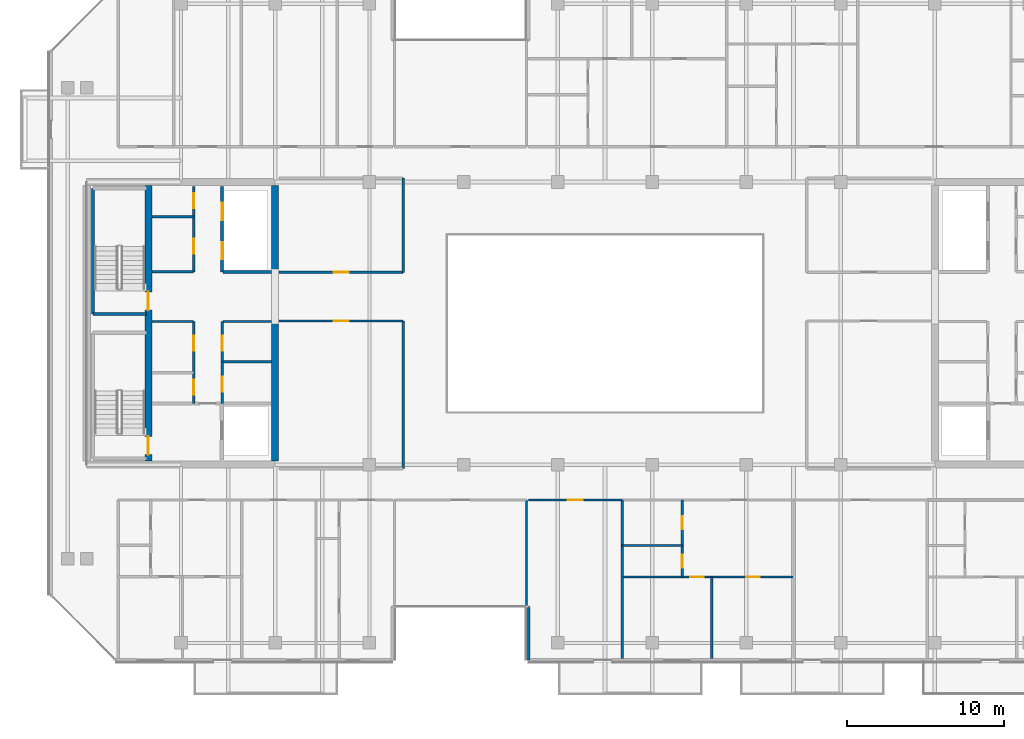
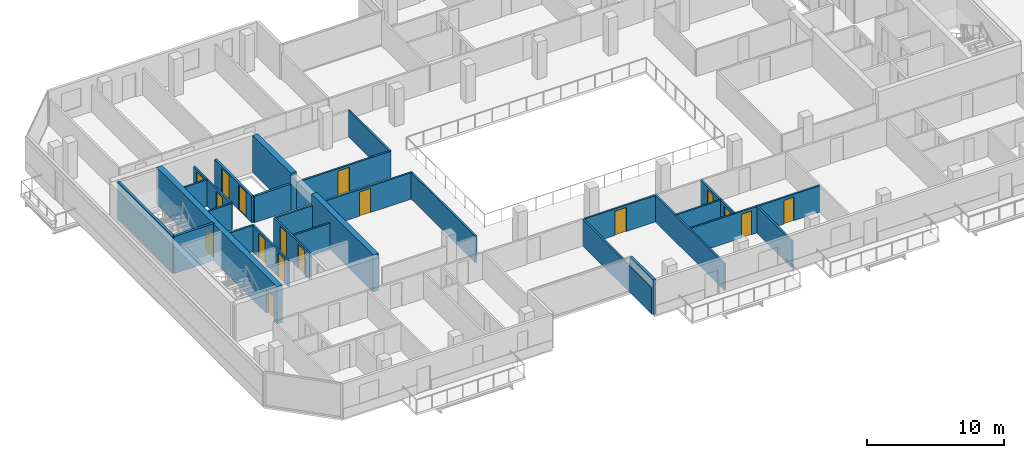
# One storey, part 19 of 28: 27 walls, 17 doors, 17 openings.
"""IFC4 building model written with IfcOpenShell, lengths in metres."""

from ifc_helpers import new_model, si_unit, direction, frame, frame_2d, origin, place, context, subcontext, project, spatial, rectangle, extrude, material, layer, layer_set, type_object, element, fill, save


model = new_model("IFC4")

# Units and contexts
model_context = context("Model", 3, precision=1e-05, world=origin(), true_north=direction((0.0, 1.0)))
body_context = subcontext(model_context, "Body", "Model", "MODEL_VIEW")
ifc_project = project(units=[si_unit("LENGTHUNIT", "METRE"), si_unit("AREAUNIT", "SQUARE_METRE"), si_unit("VOLUMEUNIT", "CUBIC_METRE"), si_unit("PLANEANGLEUNIT", "RADIAN"), si_unit("MASSUNIT", "GRAM", prefix="KILO")], contexts=[model_context])

# Site, building, storey
site_placement = place(None, origin())
site = spatial("IfcSite", under=ifc_project, at=site_placement, CompositionType="ELEMENT")
building_placement = place(site_placement, origin())
building = spatial("IfcBuilding", under=site, at=building_placement, Name="Tanjung Sevakor Pilgrim Tower", CompositionType="ELEMENT")
storey_placement = place(building_placement, frame((0.0, 0.0, 185.1298828125)))
storey = spatial("IfcBuildingStorey", under=building, at=storey_placement, Name="L51", CompositionType="ELEMENT", Elevation=185.1298828125)

# Walls
ifc_material_1 = material(Name="Concrete C60/75", Category="concrete")
ifc_layer_1 = layer(ifc_material_1, 0.449951171875)
ifc_layer_set_1 = layer_set([ifc_layer_1], Name="WALL-CW-450")
wall_type_1 = type_object("IfcWallType", Name="WALL-CW-450", PredefinedType="SHEAR", material=ifc_layer_set_1)
wall_1_placement = place(storey_placement, frame((36.0, 24.824951171875, 0.0), z_axis=(0.0, 0.0, 1.0), x_axis=(0.0, 1.0, 0.0)))
element("IfcWall", 1, at=wall_1_placement, inside=storey, type_object=wall_type_1, Name="L51 W Core Inner Shear Wall South", PredefinedType="SHEAR", context=body_context, shape_type="SweptSolid", body=[
    extrude(rectangle(XDim=8.97509765625, YDim=0.449951171875, at=frame_2d((4.487548828125, 0.0))), origin(), (0.0, 0.0, 1.0), 3.300048828125),
])
wall_2_placement = place(storey_placement, frame((36.0, 36.800048828125, 0.0), z_axis=(0.0, 0.0, 1.0), x_axis=(0.0, 1.0, 0.0)))
element("IfcWall", 2, at=wall_2_placement, inside=storey, type_object=wall_type_1, Name="L51 W Core Inner Shear Wall North", PredefinedType="SHEAR", context=body_context, shape_type="SweptSolid", body=[
    extrude(rectangle(XDim=5.574951171875, YDim=0.449951171875, at=frame_2d((2.78759765625, 0.0))), origin(), (0.0, 0.0, 1.0), 3.300048828125),
])

# Wall, openings, doors
wall_3_placement = place(storey_placement, frame((27.925048828125, 24.824951171875, 0.0), z_axis=(0.0, 0.0, 1.0), x_axis=(0.0, 1.0, 0.0)))
wall_3 = element("IfcWall", 3, at=wall_3_placement, inside=storey, type_object=wall_type_1, Name="L51 W Core Stair Spine Wall", PredefinedType="SHEAR", context=body_context, shape_type="SweptSolid", body=[
    extrude(rectangle(XDim=17.550048828125, YDim=0.449951171875, at=frame_2d((8.77490234375, 0.0))), origin(), (0.0, 0.0, 1.0), 3.300048828125),
])
opening_1_placement = place(wall_3_placement, frame((0.425048828125, 0.0, 0.0)))
opening_1 = element("IfcOpeningElement", 4, at=opening_1_placement, cuts=wall_3, Name="Opening ID-ST1", PredefinedType="OPENING", context=body_context, shape_type="SweptSolid", body=[
    extrude(rectangle(XDim=1.14990234375, YDim=2.14990234375, at=frame_2d((0.574951171875, 1.074951171875))), frame((0.0, 0.23486328125, 0.0), z_axis=(0.0, -1.0, 0.0), x_axis=(1.0, 0.0, 0.0)), (0.0, 0.0, 1.0), 0.469970703125),
])
opening_2_placement = place(wall_3_placement, frame((9.625, 0.0, 0.0)))
opening_2 = element("IfcOpeningElement", 5, at=opening_2_placement, cuts=wall_3, Name="Opening ID-ST1", PredefinedType="OPENING", context=body_context, shape_type="SweptSolid", body=[
    extrude(rectangle(XDim=1.14990234375, YDim=2.14990234375, at=frame_2d((0.574951171875, 1.074951171875))), frame((0.0, 0.23486328125, 0.0), z_axis=(0.0, -1.0, 0.0), x_axis=(1.0, 0.0, 0.0)), (0.0, 0.0, 1.0), 0.469970703125),
])
ifc_material_2 = material(Name="Fire-Rated Steel S355J2", Category="steel")
door_type_1 = type_object("IfcDoorType", Name="DT-FIRE-1150", OperationType="NOTDEFINED", PredefinedType="DOOR", material=ifc_material_2)
door_1_placement = place(opening_1_placement, origin())
door_1 = element("IfcDoor", 6, at=door_1_placement, inside=storey, type_object=door_type_1, Name="L51 TS-W1 Stair Fire Door", OperationType="SINGLE_SWING_LEFT", OverallHeight=2.14990234375, OverallWidth=1.14990234375, PredefinedType="DOOR", context=body_context, shape_type="SweptSolid", body=[
    extrude(rectangle(XDim=1.14990234375, YDim=2.14990234375, at=frame_2d((0.574951171875, 1.074951171875))), frame((0.0, 0.02490234375, 0.0), z_axis=(0.0, -1.0, 0.0), x_axis=(1.0, 0.0, 0.0)), (0.0, 0.0, 1.0), 0.050048828125),
])
fill(opening_1, door_1)
door_2_placement = place(opening_2_placement, origin())
door_2 = element("IfcDoor", 7, at=door_2_placement, inside=storey, type_object=door_type_1, Name="L51 TS-W2 Stair Fire Door", OperationType="SINGLE_SWING_RIGHT", OverallHeight=2.14990234375, OverallWidth=1.14990234375, PredefinedType="DOOR", context=body_context, shape_type="SweptSolid", body=[
    extrude(rectangle(XDim=1.14990234375, YDim=2.14990234375, at=frame_2d((0.574951171875, 1.074951171875))), frame((0.0, 0.02490234375, 0.0), z_axis=(0.0, -1.0, 0.0), x_axis=(1.0, 0.0, 0.0)), (0.0, 0.0, 1.0), 0.050048828125),
])
fill(opening_2, door_2)

# Wall
ifc_material_3 = material(Name="Concrete C40/50", Category="concrete")
ifc_layer_2 = layer(ifc_material_3, 0.14990234375)
ifc_layer_set_2 = layer_set([ifc_layer_2], Name="WT-COMP-150")
wall_type_2 = type_object("IfcWallType", Name="WT-COMP-150", PredefinedType="SOLIDWALL", material=ifc_layer_set_2)
wall_4_placement = place(storey_placement, frame((28.169921875, 33.719970703125, 0.0), z_axis=(0.0, 0.0, 1.0), x_axis=(1.0, 0.0, 0.0)))
element("IfcWall", 8, at=wall_4_placement, inside=storey, type_object=wall_type_2, Name="L51 Partition IW-L51-004", PredefinedType="SOLIDWALL", context=body_context, shape_type="SweptSolid", body=[
    extrude(rectangle(XDim=2.630126953125, YDim=0.14990234375, at=frame_2d((1.31494140625, 0.0))), origin(), (0.0, 0.0, 1.0), 2.35009765625),
])

# Wall, openings, doors
wall_5_placement = place(storey_placement, frame((30.820068359375, 28.5, 0.0), z_axis=(0.0, 0.0, 1.0), x_axis=(0.0, 1.0, 0.0)))
wall_5 = element("IfcWall", 9, at=wall_5_placement, inside=storey, type_object=wall_type_2, Name="L51 Partition IW-L51-005", PredefinedType="SOLIDWALL", context=body_context, shape_type="SweptSolid", body=[
    extrude(rectangle(XDim=5.219970703125, YDim=0.14990234375, at=frame_2d((2.60986328125, 0.0))), origin(), (0.0, 0.0, 1.0), 2.35009765625),
])
opening_3_placement = place(wall_5_placement, frame((0.550048828125, 0.0, 0.0)))
opening_3 = element("IfcOpeningElement", 10, at=opening_3_placement, cuts=wall_5, Name="Opening ID-FD2", PredefinedType="OPENING", context=body_context, shape_type="SweptSolid", body=[
    extrude(rectangle(XDim=0.949951171875, YDim=2.14990234375, at=frame_2d((0.47509765625, 1.074951171875))), frame((0.0, 0.0849609375, 0.0), z_axis=(0.0, -1.0, 0.0), x_axis=(1.0, 0.0, 0.0)), (0.0, 0.0, 1.0), 0.169921875),
])
opening_4_placement = place(wall_5_placement, frame((3.35009765625, 0.0, 0.0)))
opening_4 = element("IfcOpeningElement", 11, at=opening_4_placement, cuts=wall_5, Name="Opening ID-FD2", PredefinedType="OPENING", context=body_context, shape_type="SweptSolid", body=[
    extrude(rectangle(XDim=0.949951171875, YDim=2.14990234375, at=frame_2d((0.47509765625, 1.074951171875))), frame((0.0, 0.0849609375, 0.0), z_axis=(0.0, -1.0, 0.0), x_axis=(1.0, 0.0, 0.0)), (0.0, 0.0, 1.0), 0.169921875),
])
ifc_material_4 = material(Name="Fire-Rated Timber", Category="wood")
door_type_2 = type_object("IfcDoorType", Name="DT-FIRE-950", OperationType="NOTDEFINED", PredefinedType="DOOR", material=ifc_material_4)
door_3_placement = place(opening_3_placement, origin())
door_3 = element("IfcDoor", 12, at=door_3_placement, inside=storey, type_object=door_type_2, Name="L51 Cleaner Store Door", OperationType="SINGLE_SWING_RIGHT", OverallHeight=2.14990234375, OverallWidth=0.949951171875, PredefinedType="DOOR", context=body_context, shape_type="SweptSolid", body=[
    extrude(rectangle(XDim=0.949951171875, YDim=2.14990234375, at=frame_2d((0.47509765625, 1.074951171875))), frame((0.0, 0.02490234375, 0.0), z_axis=(0.0, -1.0, 0.0), x_axis=(1.0, 0.0, 0.0)), (0.0, 0.0, 1.0), 0.050048828125),
])
fill(opening_3, door_3)
door_4_placement = place(opening_4_placement, origin())
door_4 = element("IfcDoor", 13, at=door_4_placement, inside=storey, type_object=door_type_2, Name="L51 Housekeeping Pantry Door", OperationType="SINGLE_SWING_LEFT", OverallHeight=2.14990234375, OverallWidth=0.949951171875, PredefinedType="DOOR", context=body_context, shape_type="SweptSolid", body=[
    extrude(rectangle(XDim=0.949951171875, YDim=2.14990234375, at=frame_2d((0.47509765625, 1.074951171875))), frame((0.0, 0.02490234375, 0.0), z_axis=(0.0, -1.0, 0.0), x_axis=(1.0, 0.0, 0.0)), (0.0, 0.0, 1.0), 0.050048828125),
])
fill(opening_4, door_4)

# Walls
for number, where, z_axis, x_axis, name in (
    (14, (32.679931640625, 31.14990234375, 0.0), (0.0, 0.0, 1.0), (1.0, 0.0, 0.0), "L51 Partition IW-L51-006"),
    (15, (32.679931640625, 33.719970703125, 0.0), (0.0, 0.0, 1.0), (1.0, 0.0, 0.0), "L51 Partition IW-L51-007"),
):
    element("IfcWall", number, at=place(storey_placement, frame(where, z_axis=z_axis, x_axis=x_axis)), inside=storey, type_object=wall_type_2, Name=name, PredefinedType="SOLIDWALL", context=body_context, shape_type="SweptSolid", body=[
        extrude(rectangle(XDim=3.074951171875, YDim=0.14990234375, at=frame_2d((1.53759765625, 0.0))), origin(), (0.0, 0.0, 1.0), 2.35009765625),
    ])

# Wall, openings, doors
wall_6_placement = place(storey_placement, frame((32.6201171875, 28.5, 0.0), z_axis=(0.0, 0.0, 1.0), x_axis=(0.0, 1.0, 0.0)))
wall_6 = element("IfcWall", 16, at=wall_6_placement, inside=storey, type_object=wall_type_2, Name="L51 Partition IW-L51-008", PredefinedType="SOLIDWALL", context=body_context, shape_type="SweptSolid", body=[
    extrude(rectangle(XDim=5.219970703125, YDim=0.14990234375, at=frame_2d((2.60986328125, 0.0))), origin(), (0.0, 0.0, 1.0), 2.35009765625),
])
opening_5_placement = place(wall_6_placement, frame((0.75, 0.0, 0.0)))
opening_5 = element("IfcOpeningElement", 17, at=opening_5_placement, cuts=wall_6, Name="Opening ID-FD2", PredefinedType="OPENING", context=body_context, shape_type="SweptSolid", body=[
    extrude(rectangle(XDim=0.949951171875, YDim=2.14990234375, at=frame_2d((0.47509765625, 1.074951171875))), frame((0.0, 0.0849609375, 0.0), z_axis=(0.0, -1.0, 0.0), x_axis=(1.0, 0.0, 0.0)), (0.0, 0.0, 1.0), 0.169921875),
])
opening_6_placement = place(wall_6_placement, frame((3.35009765625, 0.0, 0.0)))
opening_6 = element("IfcOpeningElement", 18, at=opening_6_placement, cuts=wall_6, Name="Opening ID-FD2", PredefinedType="OPENING", context=body_context, shape_type="SweptSolid", body=[
    extrude(rectangle(XDim=0.949951171875, YDim=2.14990234375, at=frame_2d((0.47509765625, 1.074951171875))), frame((0.0, 0.0849609375, 0.0), z_axis=(0.0, -1.0, 0.0), x_axis=(1.0, 0.0, 0.0)), (0.0, 0.0, 1.0), 0.169921875),
])
door_5_placement = place(opening_5_placement, origin())
door_5 = element("IfcDoor", 19, at=door_5_placement, inside=storey, type_object=door_type_2, Name="L51 Accessible WC Door", OperationType="SINGLE_SWING_RIGHT", OverallHeight=2.14990234375, OverallWidth=0.949951171875, PredefinedType="DOOR", context=body_context, shape_type="SweptSolid", body=[
    extrude(rectangle(XDim=0.949951171875, YDim=2.14990234375, at=frame_2d((0.47509765625, 1.074951171875))), frame((0.0, 0.02490234375, 0.0), z_axis=(0.0, -1.0, 0.0), x_axis=(1.0, 0.0, 0.0)), (0.0, 0.0, 1.0), 0.050048828125),
])
fill(opening_5, door_5)
door_6_placement = place(opening_6_placement, origin())
door_6 = element("IfcDoor", 20, at=door_6_placement, inside=storey, type_object=door_type_2, Name="L51 Core Service Door", OperationType="SINGLE_SWING_LEFT", OverallHeight=2.14990234375, OverallWidth=0.949951171875, PredefinedType="DOOR", context=body_context, shape_type="SweptSolid", body=[
    extrude(rectangle(XDim=0.949951171875, YDim=2.14990234375, at=frame_2d((0.47509765625, 1.074951171875))), frame((0.0, 0.02490234375, 0.0), z_axis=(0.0, -1.0, 0.0), x_axis=(1.0, 0.0, 0.0)), (0.0, 0.0, 1.0), 0.050048828125),
])
fill(opening_6, door_6)

# Walls
for number, where, z_axis, x_axis, name in (
    (21, (28.169921875, 36.8798828125, 0.0), (0.0, 0.0, 1.0), (1.0, 0.0, 0.0), "L51 Partition IW-L51-009"),
    (22, (28.169921875, 40.389892578125, 0.0), (0.0, 0.0, 1.0), (1.0, 0.0, 0.0), "L51 Partition IW-L51-010"),
):
    element("IfcWall", number, at=place(storey_placement, frame(where, z_axis=z_axis, x_axis=x_axis)), inside=storey, type_object=wall_type_2, Name=name, PredefinedType="SOLIDWALL", context=body_context, shape_type="SweptSolid", body=[
        extrude(rectangle(XDim=2.630126953125, YDim=0.14990234375, at=frame_2d((1.31494140625, 0.0))), origin(), (0.0, 0.0, 1.0), 2.35009765625),
    ])

# Wall, openings, doors
wall_7_placement = place(storey_placement, frame((30.820068359375, 36.8798828125, 0.0), z_axis=(0.0, 0.0, 1.0), x_axis=(0.0, 1.0, 0.0)))
wall_7 = element("IfcWall", 23, at=wall_7_placement, inside=storey, type_object=wall_type_2, Name="L51 Partition IW-L51-011", PredefinedType="SOLIDWALL", context=body_context, shape_type="SweptSolid", body=[
    extrude(rectangle(XDim=5.420166015625, YDim=0.14990234375, at=frame_2d((2.7099609375, 0.0))), origin(), (0.0, 0.0, 1.0), 2.35009765625),
])
opening_7_placement = place(wall_7_placement, frame((1.14990234375, 0.0, 0.0)))
opening_7 = element("IfcOpeningElement", 24, at=opening_7_placement, cuts=wall_7, Name="Opening ID-FD2", PredefinedType="OPENING", context=body_context, shape_type="SweptSolid", body=[
    extrude(rectangle(XDim=0.949951171875, YDim=2.14990234375, at=frame_2d((0.47509765625, 1.074951171875))), frame((0.0, 0.0849609375, 0.0), z_axis=(0.0, -1.0, 0.0), x_axis=(1.0, 0.0, 0.0)), (0.0, 0.0, 1.0), 0.169921875),
])
opening_8_placement = place(wall_7_placement, frame((4.050048828125, 0.0, 0.0)))
opening_8 = element("IfcOpeningElement", 25, at=opening_8_placement, cuts=wall_7, Name="Opening ID-FD2", PredefinedType="OPENING", context=body_context, shape_type="SweptSolid", body=[
    extrude(rectangle(XDim=0.949951171875, YDim=2.14990234375, at=frame_2d((0.47509765625, 1.074951171875))), frame((0.0, 0.0849609375, 0.0), z_axis=(0.0, -1.0, 0.0), x_axis=(1.0, 0.0, 0.0)), (0.0, 0.0, 1.0), 0.169921875),
])
door_7_placement = place(opening_7_placement, origin())
door_7 = element("IfcDoor", 26, at=door_7_placement, inside=storey, type_object=door_type_2, Name="L51 Core Study Room Door", OperationType="SINGLE_SWING_RIGHT", OverallHeight=2.14990234375, OverallWidth=0.949951171875, PredefinedType="DOOR", context=body_context, shape_type="SweptSolid", body=[
    extrude(rectangle(XDim=0.949951171875, YDim=2.14990234375, at=frame_2d((0.47509765625, 1.074951171875))), frame((0.0, 0.02490234375, 0.0), z_axis=(0.0, -1.0, 0.0), x_axis=(1.0, 0.0, 0.0)), (0.0, 0.0, 1.0), 0.050048828125),
])
fill(opening_7, door_7)
door_8_placement = place(opening_8_placement, origin())
door_8 = element("IfcDoor", 27, at=door_8_placement, inside=storey, type_object=door_type_2, Name="L51 Service Store Door", OperationType="SINGLE_SWING_LEFT", OverallHeight=2.14990234375, OverallWidth=0.949951171875, PredefinedType="DOOR", context=body_context, shape_type="SweptSolid", body=[
    extrude(rectangle(XDim=0.949951171875, YDim=2.14990234375, at=frame_2d((0.47509765625, 1.074951171875))), frame((0.0, 0.02490234375, 0.0), z_axis=(0.0, -1.0, 0.0), x_axis=(1.0, 0.0, 0.0)), (0.0, 0.0, 1.0), 0.050048828125),
])
fill(opening_8, door_8)

# Wall, opening, door
wall_8_placement = place(storey_placement, frame((36.2451171875, 33.75, 0.0), z_axis=(0.0, 0.0, 1.0), x_axis=(1.0, 0.0, 0.0)))
wall_8 = element("IfcWall", 28, at=wall_8_placement, inside=storey, type_object=wall_type_2, Name="L51 Partition IW-L51-028", PredefinedType="SOLIDWALL", context=body_context, shape_type="SweptSolid", body=[
    extrude(rectangle(XDim=7.90478515625, YDim=0.14990234375, at=frame_2d((3.952392578125, 0.0))), origin(), (0.0, 0.0, 1.0), 2.35009765625),
])
opening_9_placement = place(wall_8_placement, frame((3.4775390625, 0.0, 0.0)))
opening_9 = element("IfcOpeningElement", 29, at=opening_9_placement, cuts=wall_8, Name="Opening ID-RM1", PredefinedType="OPENING", context=body_context, shape_type="SweptSolid", body=[
    extrude(rectangle(XDim=0.949951171875, YDim=2.14990234375, at=frame_2d((0.47509765625, 1.074951171875))), frame((0.0, 0.0849609375, 0.0), z_axis=(0.0, -1.0, 0.0), x_axis=(1.0, 0.0, 0.0)), (0.0, 0.0, 1.0), 0.169921875),
])
ifc_material_5 = material(Name="Hardwood Timber", Category="wood")
door_type_3 = type_object("IfcDoorType", Name="DT-INT-950", OperationType="NOTDEFINED", PredefinedType="DOOR", material=ifc_material_5)
door_9_placement = place(opening_9_placement, origin())
door_9 = element("IfcDoor", 30, at=door_9_placement, inside=storey, type_object=door_type_3, Name="L51 West Inboard South Door", OperationType="SINGLE_SWING_RIGHT", OverallHeight=2.14990234375, OverallWidth=0.949951171875, PredefinedType="DOOR", context=body_context, shape_type="SweptSolid", body=[
    extrude(rectangle(XDim=0.949951171875, YDim=2.14990234375, at=frame_2d((0.47509765625, 1.074951171875))), frame((0.0, 0.02490234375, 0.0), z_axis=(0.0, -1.0, 0.0), x_axis=(1.0, 0.0, 0.0)), (0.0, 0.0, 1.0), 0.050048828125),
])
fill(opening_9, door_9)

# Wall
wall_9_placement = place(storey_placement, frame((44.14990234375, 24.35009765625, 0.0), z_axis=(0.0, 0.0, 1.0), x_axis=(0.0, 1.0, 0.0)))
element("IfcWall", 31, at=wall_9_placement, inside=storey, type_object=wall_type_2, Name="L51 Partition IW-L51-029", PredefinedType="SOLIDWALL", context=body_context, shape_type="SweptSolid", body=[
    extrude(rectangle(XDim=9.39990234375, YDim=0.14990234375, at=frame_2d((4.699951171875, 0.0))), origin(), (0.0, 0.0, 1.0), 2.35009765625),
])

# Wall, opening, door
wall_10_placement = place(storey_placement, frame((36.2451171875, 36.85009765625, 0.0), z_axis=(0.0, 0.0, 1.0), x_axis=(1.0, 0.0, 0.0)))
wall_10 = element("IfcWall", 32, at=wall_10_placement, inside=storey, type_object=wall_type_2, Name="L51 Partition IW-L51-030", PredefinedType="SOLIDWALL", context=body_context, shape_type="SweptSolid", body=[
    extrude(rectangle(XDim=7.90478515625, YDim=0.14990234375, at=frame_2d((3.952392578125, 0.0))), origin(), (0.0, 0.0, 1.0), 2.35009765625),
])
opening_10_placement = place(wall_10_placement, frame((3.4775390625, 0.0, 0.0)))
opening_10 = element("IfcOpeningElement", 33, at=opening_10_placement, cuts=wall_10, Name="Opening ID-RM1", PredefinedType="OPENING", context=body_context, shape_type="SweptSolid", body=[
    extrude(rectangle(XDim=0.949951171875, YDim=2.14990234375, at=frame_2d((0.47509765625, 1.074951171875))), frame((0.0, 0.0849609375, 0.0), z_axis=(0.0, -1.0, 0.0), x_axis=(1.0, 0.0, 0.0)), (0.0, 0.0, 1.0), 0.169921875),
])
door_10_placement = place(opening_10_placement, origin())
door_10 = element("IfcDoor", 34, at=door_10_placement, inside=storey, type_object=door_type_3, Name="L51 West Inboard North Door", OperationType="SINGLE_SWING_LEFT", OverallHeight=2.14990234375, OverallWidth=0.949951171875, PredefinedType="DOOR", context=body_context, shape_type="SweptSolid", body=[
    extrude(rectangle(XDim=0.949951171875, YDim=2.14990234375, at=frame_2d((0.47509765625, 1.074951171875))), frame((0.0, 0.02490234375, 0.0), z_axis=(0.0, -1.0, 0.0), x_axis=(1.0, 0.0, 0.0)), (0.0, 0.0, 1.0), 0.050048828125),
])
fill(opening_10, door_10)

# Walls
wall_11_placement = place(storey_placement, frame((44.14990234375, 36.85009765625, 0.0), z_axis=(0.0, 0.0, 1.0), x_axis=(0.0, 1.0, 0.0)))
element("IfcWall", 35, at=wall_11_placement, inside=storey, type_object=wall_type_2, Name="L51 Partition IW-L51-032", PredefinedType="SOLIDWALL", context=body_context, shape_type="SweptSolid", body=[
    extrude(rectangle(XDim=6.0, YDim=0.14990234375, at=frame_2d((3.0, 0.0))), origin(), (0.0, 0.0, 1.0), 2.35009765625),
])
for number, where, z_axis, x_axis, name in (
    (36, (52.0, 12.27001953125, 0.0), (0.0, 0.0, 1.0), (0.0, 1.0, 0.0), "L51 Partition IW-L51-041"),
    (37, (58.096435546875, 12.27001953125, 0.0), (0.0, 0.0, 1.0), (0.0, 1.0, 0.0), "L51 Partition IW-L51-058"),
):
    element("IfcWall", number, at=place(storey_placement, frame(where, z_axis=z_axis, x_axis=x_axis)), inside=storey, type_object=wall_type_2, Name=name, PredefinedType="SOLIDWALL", context=body_context, shape_type="SweptSolid", body=[
        extrude(rectangle(XDim=10.080078125, YDim=0.14990234375, at=frame_2d((5.0400390625, 0.0))), origin(), (0.0, 0.0, 1.0), 2.35009765625),
    ])

# Wall, opening, door
wall_12_placement = place(storey_placement, frame((52.1201171875, 22.35009765625, 0.0), z_axis=(0.0, 0.0, 1.0), x_axis=(1.0, 0.0, 0.0)))
wall_12 = element("IfcWall", 38, at=wall_12_placement, inside=storey, type_object=wall_type_2, Name="L51 Partition IW-L51-059", PredefinedType="SOLIDWALL", context=body_context, shape_type="SweptSolid", body=[
    extrude(rectangle(XDim=5.976318359375, YDim=0.14990234375, at=frame_2d((2.98828125, 0.0))), origin(), (0.0, 0.0, 1.0), 2.35009765625),
])
opening_11_placement = place(wall_12_placement, frame((2.51318359375, 0.0, 0.0)))
opening_11 = element("IfcOpeningElement", 39, at=opening_11_placement, cuts=wall_12, Name="Opening ID-FD2", PredefinedType="OPENING", context=body_context, shape_type="SweptSolid", body=[
    extrude(rectangle(XDim=0.949951171875, YDim=2.14990234375, at=frame_2d((0.47509765625, 1.074951171875))), frame((0.0, 0.0849609375, 0.0), z_axis=(0.0, -1.0, 0.0), x_axis=(1.0, 0.0, 0.0)), (0.0, 0.0, 1.0), 0.169921875),
])
door_11_placement = place(opening_11_placement, origin())
door_11 = element("IfcDoor", 40, at=door_11_placement, inside=storey, type_object=door_type_2, Name="Housekeeping Pantry Door", OperationType="SINGLE_SWING_LEFT", OverallHeight=2.14990234375, OverallWidth=0.949951171875, PredefinedType="DOOR", context=body_context, shape_type="SweptSolid", body=[
    extrude(rectangle(XDim=0.949951171875, YDim=2.14990234375, at=frame_2d((0.47509765625, 1.074951171875))), frame((0.0, 0.02490234375, 0.0), z_axis=(0.0, -1.0, 0.0), x_axis=(1.0, 0.0, 0.0)), (0.0, 0.0, 1.0), 0.050048828125),
])
fill(opening_11, door_11)

# Walls
ifc_material_6 = material(Name="Precast concrete C45/55", Category="concrete")
ifc_layer_3 = layer(ifc_material_6, 0.219970703125)
ifc_layer_set_3 = layer_set([ifc_layer_3], Name="WT-EW-STN4")
wall_type_3 = type_object("IfcWallType", Name="WT-EW-STN4", PredefinedType="SOLIDWALL", material=ifc_layer_set_3)
wall_13_placement = place(storey_placement, frame((52.110107421875, 15.56005859375, 0.0), z_axis=(0.0, 0.0, 1.0), x_axis=(0.0, -1.0, 0.0)))
element("IfcWall", 41, at=wall_13_placement, inside=storey, type_object=wall_type_3, Name="L51 MAIN Exterior Wall 4", PredefinedType="SOLIDWALL", context=body_context, shape_type="SweptSolid", body=[
    extrude(rectangle(XDim=3.400146484375, YDim=0.219970703125, at=frame_2d((1.7001953125, 0.0))), origin(), (0.0, 0.0, 1.0), 3.080078125),
])
ifc_material_7 = material(Name="Concrete C40/50", Category="concrete")
ifc_layer_4 = layer(ifc_material_7, 0.199951171875)
ifc_layer_set_4 = layer_set([ifc_layer_4], Name="WT-FIRE-200")
wall_type_4 = type_object("IfcWallType", Name="WT-FIRE-200", PredefinedType="SOLIDWALL", material=ifc_layer_set_4)
wall_14_placement = place(storey_placement, frame((24.39990234375, 34.199951171875, 0.0), z_axis=(0.0, 0.0, 1.0), x_axis=(1.0, 0.0, 0.0)))
element("IfcWall", 42, at=wall_14_placement, inside=storey, type_object=wall_type_4, Name="L51 TS-W2 Shaft Wall 1", PredefinedType="SOLIDWALL", context=body_context, shape_type="SweptSolid", body=[
    extrude(rectangle(XDim=3.400146484375, YDim=0.199951171875, at=frame_2d((1.7001953125, 0.0))), origin(), (0.0, 0.0, 1.0), 3.300048828125),
])
wall_15_placement = place(storey_placement, frame((24.39990234375, 42.199951171875, 0.0), z_axis=(0.0, 0.0, 1.0), x_axis=(0.0, -1.0, 0.0)))
element("IfcWall", 43, at=wall_15_placement, inside=storey, type_object=wall_type_4, Name="L51 TS-W2 Shaft Wall 3", PredefinedType="SOLIDWALL", context=body_context, shape_type="SweptSolid", body=[
    extrude(rectangle(XDim=8.0, YDim=0.199951171875, at=frame_2d((4.0, 0.0))), origin(), (0.0, 0.0, 1.0), 3.300048828125),
])
ifc_material_8 = material(Name="Concrete C40/50", Category="concrete")
ifc_layer_5 = layer(ifc_material_8, 0.199951171875)
ifc_layer_set_5 = layer_set([ifc_layer_5], Name="WT-FPRT-200")
wall_type_5 = type_object("IfcWallType", Name="WT-FPRT-200", PredefinedType="SOLIDWALL", material=ifc_layer_set_5)
wall_16_placement = place(storey_placement, frame((32.679931640625, 36.8798828125, 0.0), z_axis=(0.0, 0.0, 1.0), x_axis=(1.0, 0.0, 0.0)))
element("IfcWall", 44, at=wall_16_placement, inside=storey, type_object=wall_type_5, Name="L51 Partition IW-L51-012", PredefinedType="SOLIDWALL", context=body_context, shape_type="SweptSolid", body=[
    extrude(rectangle(XDim=3.074951171875, YDim=0.199951171875, at=frame_2d((1.53759765625, 0.0))), origin(), (0.0, 0.0, 1.0), 2.35009765625),
])

# Wall, openings, doors
wall_17_placement = place(storey_placement, frame((32.6201171875, 36.8798828125, 0.0), z_axis=(0.0, 0.0, 1.0), x_axis=(0.0, 1.0, 0.0)))
wall_17 = element("IfcWall", 45, at=wall_17_placement, inside=storey, type_object=wall_type_5, Name="L51 Partition IW-L51-013", PredefinedType="SOLIDWALL", context=body_context, shape_type="SweptSolid", body=[
    extrude(rectangle(XDim=5.420166015625, YDim=0.199951171875, at=frame_2d((2.7099609375, 0.0))), origin(), (0.0, 0.0, 1.0), 2.35009765625),
])
opening_12_placement = place(wall_17_placement, frame((0.800048828125, 0.0, 0.0)))
opening_12 = element("IfcOpeningElement", 46, at=opening_12_placement, cuts=wall_17, Name="Opening LD-1100", PredefinedType="OPENING", context=body_context, shape_type="SweptSolid", body=[
    extrude(rectangle(XDim=1.10009765625, YDim=2.199951171875, at=frame_2d((0.550048828125, 1.10009765625))), frame((0.0, 0.10986328125, 0.0), z_axis=(0.0, -1.0, 0.0), x_axis=(1.0, 0.0, 0.0)), (0.0, 0.0, 1.0), 0.219970703125),
])
opening_13_placement = place(wall_17_placement, frame((3.300048828125, 0.0, 0.0)))
opening_13 = element("IfcOpeningElement", 47, at=opening_13_placement, cuts=wall_17, Name="Opening LD-1100", PredefinedType="OPENING", context=body_context, shape_type="SweptSolid", body=[
    extrude(rectangle(XDim=1.10009765625, YDim=2.199951171875, at=frame_2d((0.550048828125, 1.10009765625))), frame((0.0, 0.10986328125, 0.0), z_axis=(0.0, -1.0, 0.0), x_axis=(1.0, 0.0, 0.0)), (0.0, 0.0, 1.0), 0.219970703125),
])
ifc_material_9 = material(Name="Brushed Stainless Steel S355J2", Category="steel")
door_type_4 = type_object("IfcDoorType", Name="DT-LIFT-1100", OperationType="SLIDING_TO_LEFT", PredefinedType="DOOR", material=ifc_material_9)
door_12_placement = place(opening_12_placement, origin())
door_12 = element("IfcDoor", 48, at=door_12_placement, inside=storey, type_object=door_type_4, Name="LD-PLH1-W", OperationType="SLIDING_TO_LEFT", OverallHeight=2.199951171875, OverallWidth=1.10009765625, PredefinedType="DOOR", context=body_context, shape_type="SweptSolid", body=[
    extrude(rectangle(XDim=1.10009765625, YDim=2.199951171875, at=frame_2d((0.550048828125, 1.10009765625))), frame((0.0, 0.02490234375, 0.0), z_axis=(0.0, -1.0, 0.0), x_axis=(1.0, 0.0, 0.0)), (0.0, 0.0, 1.0), 0.050048828125),
])
fill(opening_12, door_12)
door_13_placement = place(opening_13_placement, origin())
door_13 = element("IfcDoor", 49, at=door_13_placement, inside=storey, type_object=door_type_4, Name="LD-PLH2-W", OperationType="SLIDING_TO_RIGHT", OverallHeight=2.199951171875, OverallWidth=1.10009765625, PredefinedType="DOOR", context=body_context, shape_type="SweptSolid", body=[
    extrude(rectangle(XDim=1.10009765625, YDim=2.199951171875, at=frame_2d((0.550048828125, 1.10009765625))), frame((0.0, 0.02490234375, 0.0), z_axis=(0.0, -1.0, 0.0), x_axis=(1.0, 0.0, 0.0)), (0.0, 0.0, 1.0), 0.050048828125),
])
fill(opening_13, door_13)

# Wall
ifc_material_10 = material(Name="Gypsum Board Partition", Category="gypsum board")
ifc_layer_6 = layer(ifc_material_10, 0.14990234375)
ifc_layer_set_6 = layer_set([ifc_layer_6], Name="WT-PART-150")
wall_type_6 = type_object("IfcWallType", Name="WT-PART-150", PredefinedType="PARTITIONING", material=ifc_layer_set_6)
wall_18_placement = place(storey_placement, frame((58.096435546875, 19.45751953125, 0.0), z_axis=(0.0, 0.0, 1.0), x_axis=(1.0, 0.0, 0.0)))
element("IfcWall", 50, at=wall_18_placement, inside=storey, type_object=wall_type_6, Name="L51 Partition IW-L51-061", PredefinedType="PARTITIONING", context=body_context, shape_type="SweptSolid", body=[
    extrude(rectangle(XDim=3.823486328125, YDim=0.14990234375, at=frame_2d((1.91162109375, 0.0))), origin(), (0.0, 0.0, 1.0), 2.35009765625),
])

# Wall, openings, doors
wall_19_placement = place(storey_placement, frame((61.919921875, 17.44775390625, 0.0), z_axis=(0.0, 0.0, 1.0), x_axis=(0.0, 1.0, 0.0)))
wall_19 = element("IfcWall", 51, at=wall_19_placement, inside=storey, type_object=wall_type_6, Name="L51 Partition IW-L51-062", PredefinedType="PARTITIONING", context=body_context, shape_type="SweptSolid", body=[
    extrude(rectangle(XDim=4.90234375, YDim=0.14990234375, at=frame_2d((2.451171875, 0.0))), origin(), (0.0, 0.0, 1.0), 2.35009765625),
])
opening_14_placement = place(wall_19_placement, frame((0.579833984375, 0.0, 0.0)))
opening_14 = element("IfcOpeningElement", 52, at=opening_14_placement, cuts=wall_19, Name="Opening ID-WC1", PredefinedType="OPENING", context=body_context, shape_type="SweptSolid", body=[
    extrude(rectangle(XDim=0.85009765625, YDim=2.10009765625, at=frame_2d((0.425048828125, 1.050048828125))), frame((0.0, 0.0849609375, 0.0), z_axis=(0.0, -1.0, 0.0), x_axis=(1.0, 0.0, 0.0)), (0.0, 0.0, 1.0), 0.169921875),
])
opening_15_placement = place(wall_19_placement, frame((3.031005859375, 0.0, 0.0)))
opening_15 = element("IfcOpeningElement", 53, at=opening_15_placement, cuts=wall_19, Name="Opening ID-WC1", PredefinedType="OPENING", context=body_context, shape_type="SweptSolid", body=[
    extrude(rectangle(XDim=0.85009765625, YDim=2.10009765625, at=frame_2d((0.425048828125, 1.050048828125))), frame((0.0, 0.0849609375, 0.0), z_axis=(0.0, -1.0, 0.0), x_axis=(1.0, 0.0, 0.0)), (0.0, 0.0, 1.0), 0.169921875),
])
ifc_material_11 = material(Name="Moisture-Resistant Timber", Category="wood")
door_type_5 = type_object("IfcDoorType", Name="DT-INT-850", OperationType="NOTDEFINED", PredefinedType="DOOR", material=ifc_material_11)
door_14_placement = place(opening_14_placement, origin())
door_14 = element("IfcDoor", 54, at=door_14_placement, inside=storey, type_object=door_type_5, Name="Suite Bathroom Door", OperationType="SINGLE_SWING_RIGHT", OverallHeight=2.10009765625, OverallWidth=0.85009765625, PredefinedType="DOOR", context=body_context, shape_type="SweptSolid", body=[
    extrude(rectangle(XDim=0.85009765625, YDim=2.10009765625, at=frame_2d((0.425048828125, 1.050048828125))), frame((0.0, 0.02490234375, 0.0), z_axis=(0.0, -1.0, 0.0), x_axis=(1.0, 0.0, 0.0)), (0.0, 0.0, 1.0), 0.050048828125),
])
fill(opening_14, door_14)
door_15_placement = place(opening_15_placement, origin())
door_15 = element("IfcDoor", 55, at=door_15_placement, inside=storey, type_object=door_type_5, Name="Suite Kitchenette Door", OperationType="SINGLE_SWING_LEFT", OverallHeight=2.10009765625, OverallWidth=0.85009765625, PredefinedType="DOOR", context=body_context, shape_type="SweptSolid", body=[
    extrude(rectangle(XDim=0.85009765625, YDim=2.10009765625, at=frame_2d((0.425048828125, 1.050048828125))), frame((0.0, 0.02490234375, 0.0), z_axis=(0.0, -1.0, 0.0), x_axis=(1.0, 0.0, 0.0)), (0.0, 0.0, 1.0), 0.050048828125),
])
fill(opening_15, door_15)

# Wall
wall_20_placement = place(storey_placement, frame((63.7939453125, 12.27001953125, 0.0), z_axis=(0.0, 0.0, 1.0), x_axis=(0.0, 1.0, 0.0)))
element("IfcWall", 56, at=wall_20_placement, inside=storey, type_object=wall_type_6, Name="L51 Partition IW-L51-063", PredefinedType="PARTITIONING", context=body_context, shape_type="SweptSolid", body=[
    extrude(rectangle(XDim=5.177734375, YDim=0.14990234375, at=frame_2d((2.5888671875, 0.0))), origin(), (0.0, 0.0, 1.0), 2.35009765625),
])

# Wall, openings, doors
wall_21_placement = place(storey_placement, frame((58.096435546875, 17.44775390625, 0.0), z_axis=(0.0, 0.0, 1.0), x_axis=(1.0, 0.0, 0.0)))
wall_21 = element("IfcWall", 57, at=wall_21_placement, inside=storey, type_object=wall_type_6, Name="L51 Partition IW-L51-064", PredefinedType="PARTITIONING", context=body_context, shape_type="SweptSolid", body=[
    extrude(rectangle(XDim=10.956787109375, YDim=0.14990234375, at=frame_2d((5.478515625, 0.0))), origin(), (0.0, 0.0, 1.0), 2.35009765625),
])
opening_16_placement = place(wall_21_placement, frame((4.33544921875, 0.0, 0.0)))
opening_16 = element("IfcOpeningElement", 58, at=opening_16_placement, cuts=wall_21, Name="Opening ID-WC1", PredefinedType="OPENING", context=body_context, shape_type="SweptSolid", body=[
    extrude(rectangle(XDim=0.85009765625, YDim=2.10009765625, at=frame_2d((0.425048828125, 1.050048828125))), frame((0.0, 0.0849609375, 0.0), z_axis=(0.0, -1.0, 0.0), x_axis=(1.0, 0.0, 0.0)), (0.0, 0.0, 1.0), 0.169921875),
])
opening_17_placement = place(wall_21_placement, frame((7.902099609375, 0.0, 0.0)))
opening_17 = element("IfcOpeningElement", 59, at=opening_17_placement, cuts=wall_21, Name="Opening ID-WC1", PredefinedType="OPENING", context=body_context, shape_type="SweptSolid", body=[
    extrude(rectangle(XDim=0.85009765625, YDim=2.10009765625, at=frame_2d((0.425048828125, 1.050048828125))), frame((0.0, 0.0849609375, 0.0), z_axis=(0.0, -1.0, 0.0), x_axis=(1.0, 0.0, 0.0)), (0.0, 0.0, 1.0), 0.169921875),
])
door_16_placement = place(opening_16_placement, origin())
door_16 = element("IfcDoor", 60, at=door_16_placement, inside=storey, type_object=door_type_5, Name="Suite Bedroom 1 Door", OperationType="SINGLE_SWING_RIGHT", OverallHeight=2.10009765625, OverallWidth=0.85009765625, PredefinedType="DOOR", context=body_context, shape_type="SweptSolid", body=[
    extrude(rectangle(XDim=0.85009765625, YDim=2.10009765625, at=frame_2d((0.425048828125, 1.050048828125))), frame((0.0, 0.02490234375, 0.0), z_axis=(0.0, -1.0, 0.0), x_axis=(1.0, 0.0, 0.0)), (0.0, 0.0, 1.0), 0.050048828125),
])
fill(opening_16, door_16)
door_17_placement = place(opening_17_placement, origin())
door_17 = element("IfcDoor", 61, at=door_17_placement, inside=storey, type_object=door_type_5, Name="Suite Bedroom 2 Door", OperationType="SINGLE_SWING_LEFT", OverallHeight=2.10009765625, OverallWidth=0.85009765625, PredefinedType="DOOR", context=body_context, shape_type="SweptSolid", body=[
    extrude(rectangle(XDim=0.85009765625, YDim=2.10009765625, at=frame_2d((0.425048828125, 1.050048828125))), frame((0.0, 0.02490234375, 0.0), z_axis=(0.0, -1.0, 0.0), x_axis=(1.0, 0.0, 0.0)), (0.0, 0.0, 1.0), 0.050048828125),
])
fill(opening_17, door_17)

save(model, "model.ifc")
